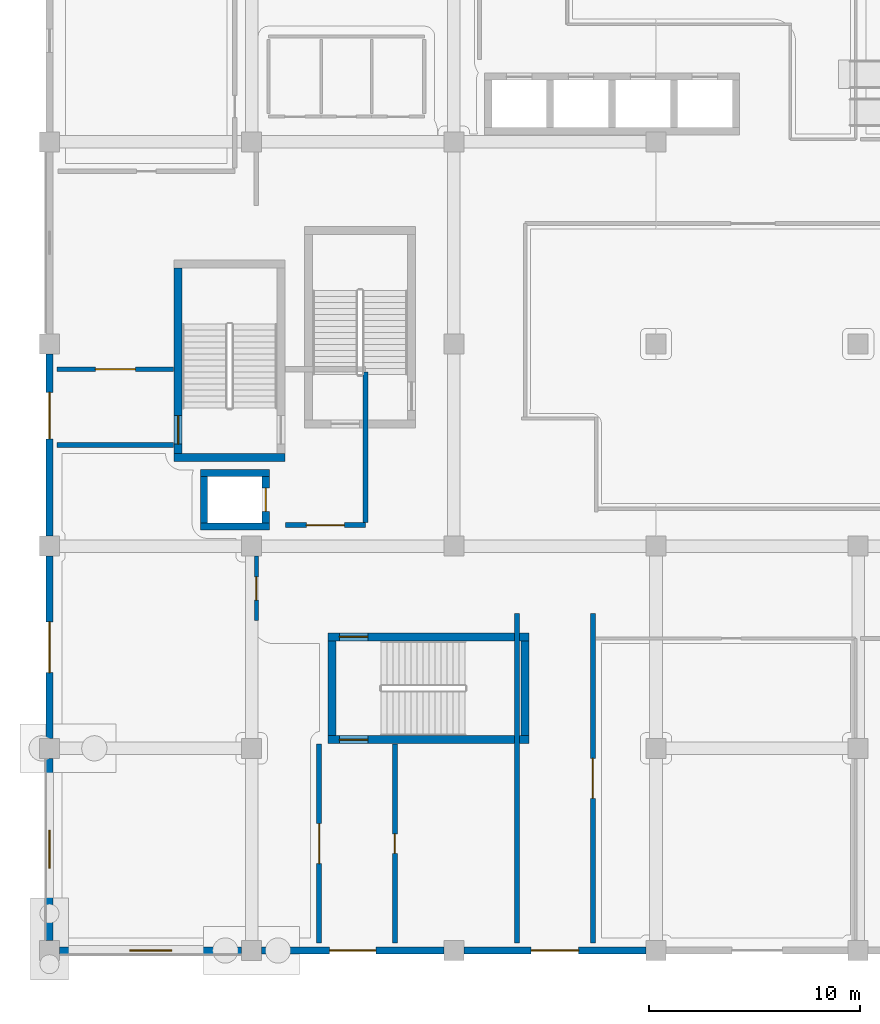
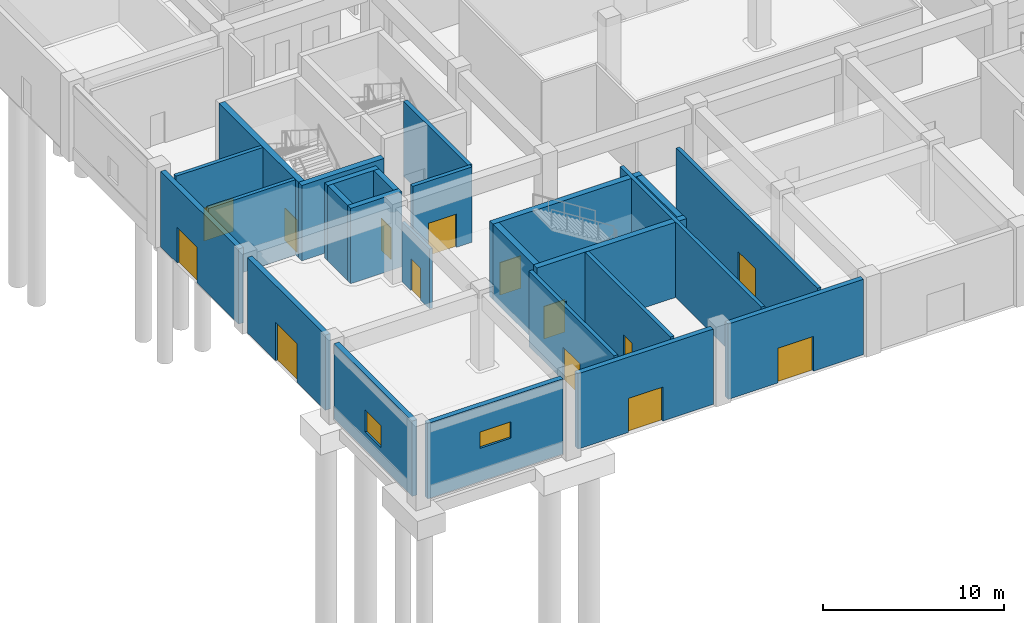
# One storey, part 27 of 74: 25 walls, 14 doors, 2 windows, 16 openings.
"""IFC4 building model written with IfcOpenShell, lengths in metres."""

from ifc_helpers import new_model, si_unit, direction, frame, frame_2d, origin, place, context, subcontext, project, spatial, rectangle, extrude, material, layer, layer_set, type_object, element, fill, save


model = new_model("IFC4")

# Units and contexts
model_context = context("Model", 3, precision=1e-05, world=origin(), true_north=direction((0.0, 1.0)))
body_context = subcontext(model_context, "Body", "Model", "MODEL_VIEW")
ifc_project = project(units=[si_unit("LENGTHUNIT", "METRE"), si_unit("AREAUNIT", "SQUARE_METRE"), si_unit("VOLUMEUNIT", "CUBIC_METRE"), si_unit("PLANEANGLEUNIT", "RADIAN"), si_unit("MASSUNIT", "GRAM", prefix="KILO")], contexts=[model_context])

# Site, building, storey
site_placement = place(None, origin())
site = spatial("IfcSite", under=ifc_project, at=site_placement, CompositionType="ELEMENT")
building_placement = place(site_placement, origin())
building = spatial("IfcBuilding", under=site, at=building_placement, Name="Cendralis Terraced Arcade", CompositionType="ELEMENT")
storey_placement = place(building_placement, origin())
storey = spatial("IfcBuildingStorey", under=building, at=storey_placement, Name="L00", CompositionType="ELEMENT", Elevation=0.0)

# Walls
ifc_material_1 = material(Name="Concrete f'c 42 MPa", Category="concrete")
ifc_layer_1 = layer(ifc_material_1, 0.340087890625, Name="WL-CORE-340")
ifc_layer_set_1 = layer_set([ifc_layer_1], Name="Concrete f'c 42 MPa")
wall_type_1 = type_object("IfcWallType", Name="WL-CORE-340", PredefinedType="SHEAR", material=ifc_layer_set_1)
for number, where, z_axis, x_axis, name in (
    (1, (7.159912109375, 20.1298828125, 0.0), (0.0, 0.0, 1.0), (1.0, 0.0, 0.0), "Lift FFL-01 Reinforced Concrete Shaft Wall (L00)"),
    (2, (7.159912109375, 22.669921875, 0.0), (0.0, 0.0, 1.0), (1.0, 0.0, 0.0), "Lift FFL-01 Reinforced Concrete Shaft Wall (L00)"),
):
    element("IfcWall", number, at=place(storey_placement, frame(where, z_axis=z_axis, x_axis=x_axis)), inside=storey, type_object=wall_type_1, Name=name, PredefinedType="SHEAR", context=body_context, shape_type="SweptSolid", body=[
        extrude(rectangle(XDim=3.280029296875, YDim=0.340087890625, at=frame_2d((1.64013671875, 0.0))), origin(), (0.0, 0.0, 1.0), 5.090087890625),
    ])
wall_1_placement = place(storey_placement, frame((7.330078125, 20.300048828125, 0.0), z_axis=(0.0, 0.0, 1.0), x_axis=(0.0, 1.0, 0.0)))
element("IfcWall", 3, at=wall_1_placement, inside=storey, type_object=wall_type_1, Name="Lift FFL-01 Reinforced Concrete Shaft Wall (L00)", PredefinedType="SHEAR", context=body_context, shape_type="SweptSolid", body=[
    extrude(rectangle(XDim=2.199951171875, YDim=0.340087890625, at=frame_2d((1.10009765625, 0.0))), origin(), (0.0, 0.0, 1.0), 5.090087890625),
])

# Wall, opening, door
wall_2_placement = place(storey_placement, frame((10.27001953125, 20.300048828125, 0.0), z_axis=(0.0, 0.0, 1.0), x_axis=(0.0, 1.0, 0.0)))
wall_2 = element("IfcWall", 4, at=wall_2_placement, inside=storey, type_object=wall_type_1, Name="Lift FFL-01 Reinforced Concrete Shaft Wall (L00)", PredefinedType="SHEAR", context=body_context, shape_type="SweptSolid", body=[
    extrude(rectangle(XDim=2.199951171875, YDim=0.340087890625, at=frame_2d((1.10009765625, 0.0))), origin(), (0.0, 0.0, 1.0), 5.090087890625),
])
opening_1_placement = place(wall_2_placement, frame((0.550048828125, 0.0, 0.0)))
opening_1 = element("IfcOpeningElement", 5, at=opening_1_placement, cuts=wall_2, Name="Opening LD-FFL-01-L00", PredefinedType="OPENING", context=body_context, shape_type="SweptSolid", body=[
    extrude(rectangle(XDim=1.10009765625, YDim=2.14990234375, at=frame_2d((0.550048828125, 1.074951171875))), frame((0.0, 0.18212890625, 0.0), z_axis=(0.0, -1.0, 0.0), x_axis=(1.0, 0.0, 0.0)), (0.0, 0.0, 1.0), 0.364013671875),
])
ifc_material_2 = material(Name="Anodised aluminium sliding door assembly", Category="aluminium")
door_type_1 = type_object("IfcDoorType", Name="ID-LD-FF-1100x2150", OperationType="DOUBLE_DOOR_SLIDING", PredefinedType="DOOR", material=ifc_material_2)
door_1_placement = place(opening_1_placement, origin())
door_1 = element("IfcDoor", 6, at=door_1_placement, inside=storey, type_object=door_type_1, Name="Lift FFL-01 Sliding Landing Door (L00)", OperationType="DOUBLE_DOOR_SLIDING", OverallHeight=2.14990234375, OverallWidth=1.10009765625, PredefinedType="DOOR", context=body_context, shape_type="SweptSolid", body=[
    extrude(rectangle(XDim=1.10009765625, YDim=2.14990234375, at=frame_2d((0.550048828125, 1.074951171875))), frame((0.0, 0.02490234375, 0.0), z_axis=(0.0, -1.0, 0.0), x_axis=(1.0, 0.0, 0.0)), (0.0, 0.0, 1.0), 0.050048828125),
])
fill(opening_1, door_1)

# Wall
ifc_layer_2 = layer(ifc_material_1, 0.3798828125, Name="WL-CORE-380")
ifc_layer_set_2 = layer_set([ifc_layer_2], Name="Concrete f'c 42 MPa")
wall_type_2 = type_object("IfcWallType", Name="WL-CORE-380", PredefinedType="SHEAR", material=ifc_layer_set_2)
wall_3_placement = place(storey_placement, frame((5.919921875, 23.409912109375, 0.0), z_axis=(0.0, 0.0, 1.0), x_axis=(1.0, 0.0, 0.0)))
element("IfcWall", 7, at=wall_3_placement, inside=storey, type_object=wall_type_2, Name="Stair Core Reinforced Concrete Shear Wall SW-ST-01-L00-S", PredefinedType="SHEAR", context=body_context, shape_type="SweptSolid", body=[
    extrude(rectangle(XDim=5.260009765625, YDim=0.3798828125, at=frame_2d((2.6298828125, 0.0))), origin(), (0.0, 0.0, 1.0), 5.090087890625),
])

# Wall, opening, door
wall_4_placement = place(storey_placement, frame((6.110107421875, 23.60009765625, 0.0), z_axis=(0.0, 0.0, 1.0), x_axis=(0.0, 1.0, 0.0)))
wall_4 = element("IfcWall", 8, at=wall_4_placement, inside=storey, type_object=wall_type_2, Name="Stair Core Reinforced Concrete Shear Wall SW-ST-01-L00-W", PredefinedType="SHEAR", context=body_context, shape_type="SweptSolid", body=[
    extrude(rectangle(XDim=8.7998046875, YDim=0.3798828125, at=frame_2d((4.39990234375, 0.0))), origin(), (0.0, 0.0, 1.0), 5.090087890625),
])
opening_2_placement = place(wall_4_placement, frame((0.449951171875, 0.0, 0.0)))
opening_2 = element("IfcOpeningElement", 9, at=opening_2_placement, cuts=wall_4, Name="Opening D-ST-01-EXP", PredefinedType="OPENING", context=body_context, shape_type="SweptSolid", body=[
    extrude(rectangle(XDim=1.35009765625, YDim=2.199951171875, at=frame_2d((0.675048828125, 1.10009765625))), frame((0.0, 0.201904296875, 0.0), z_axis=(0.0, -1.0, 0.0), x_axis=(1.0, 0.0, 0.0)), (0.0, 0.0, 1.0), 0.40380859375),
])
ifc_material_3 = material(Name="Galvanised fire-rated steel door assembly", Category="steel")
door_type_2 = type_object("IfcDoorType", Name="ID-ST-1350x2200", OperationType="NOTDEFINED", PredefinedType="DOOR", material=ifc_material_3)
door_2_placement = place(opening_2_placement, frame((1.35009765625, 0.0, 0.0), z_axis=(0.0, 0.0, 1.0), x_axis=(-1.0, 0.0, 0.0)))
door_2 = element("IfcDoor", 10, at=door_2_placement, inside=storey, type_object=door_type_2, Name="Stair ST-01 Exit Passage Discharge Door", OperationType="SINGLE_SWING_RIGHT", OverallHeight=2.199951171875, OverallWidth=1.35009765625, PredefinedType="DOOR", context=body_context, shape_type="SweptSolid", body=[
    extrude(rectangle(XDim=1.35009765625, YDim=2.199951171875, at=frame_2d((0.675048828125, 1.10009765625))), frame((0.0, 0.02490234375, 0.0), z_axis=(0.0, -1.0, 0.0), x_axis=(1.0, 0.0, 0.0)), (0.0, 0.0, 1.0), 0.050048828125),
])
fill(opening_2, door_2)

wall_5_placement = place(storey_placement, frame((13.219970703125, 10.010009765625, 0.0), z_axis=(0.0, 0.0, 1.0), x_axis=(1.0, 0.0, 0.0)))
wall_5 = element("IfcWall", 11, at=wall_5_placement, inside=storey, type_object=wall_type_2, Name="Stair Core Reinforced Concrete Shear Wall SW-ST-02-L00-S", PredefinedType="SHEAR", context=body_context, shape_type="SweptSolid", body=[
    extrude(rectangle(XDim=9.56005859375, YDim=0.3798828125, at=frame_2d((4.780029296875, 0.0))), origin(), (0.0, 0.0, 1.0), 5.090087890625),
])
opening_3_placement = place(wall_5_placement, frame((0.550048828125, 0.0, 0.0)))
opening_3 = element("IfcOpeningElement", 12, at=opening_3_placement, cuts=wall_5, Name="Opening D-ST-02-EXP", PredefinedType="OPENING", context=body_context, shape_type="SweptSolid", body=[
    extrude(rectangle(XDim=1.35009765625, YDim=2.199951171875, at=frame_2d((0.675048828125, 1.10009765625))), frame((0.0, 0.201904296875, 0.0), z_axis=(0.0, -1.0, 0.0), x_axis=(1.0, 0.0, 0.0)), (0.0, 0.0, 1.0), 0.40380859375),
])
door_3_placement = place(opening_3_placement, frame((1.35009765625, 0.0, 0.0), z_axis=(0.0, 0.0, 1.0), x_axis=(-1.0, 0.0, 0.0)))
door_3 = element("IfcDoor", 13, at=door_3_placement, inside=storey, type_object=door_type_2, Name="Stair ST-02 Exit Passage Discharge Door", OperationType="SINGLE_SWING_LEFT", OverallHeight=2.199951171875, OverallWidth=1.35009765625, PredefinedType="DOOR", context=body_context, shape_type="SweptSolid", body=[
    extrude(rectangle(XDim=1.35009765625, YDim=2.199951171875, at=frame_2d((0.675048828125, 1.10009765625))), frame((0.0, 0.02490234375, 0.0), z_axis=(0.0, -1.0, 0.0), x_axis=(1.0, 0.0, 0.0)), (0.0, 0.0, 1.0), 0.050048828125),
])
fill(opening_3, door_3)

wall_6_placement = place(storey_placement, frame((13.219970703125, 14.889892578125, 0.0), z_axis=(0.0, 0.0, 1.0), x_axis=(1.0, 0.0, 0.0)))
wall_6 = element("IfcWall", 14, at=wall_6_placement, inside=storey, type_object=wall_type_2, Name="Stair Core Reinforced Concrete Shear Wall SW-ST-02-L00-N", PredefinedType="SHEAR", context=body_context, shape_type="SweptSolid", body=[
    extrude(rectangle(XDim=9.56005859375, YDim=0.3798828125, at=frame_2d((4.780029296875, 0.0))), origin(), (0.0, 0.0, 1.0), 5.090087890625),
])
opening_4_placement = place(wall_6_placement, frame((0.550048828125, 0.0, 0.0)))
opening_4 = element("IfcOpeningElement", 15, at=opening_4_placement, cuts=wall_6, Name="Opening D-ST-02-L00", PredefinedType="OPENING", context=body_context, shape_type="SweptSolid", body=[
    extrude(rectangle(XDim=1.35009765625, YDim=2.199951171875, at=frame_2d((0.675048828125, 1.10009765625))), frame((0.0, 0.201904296875, 0.0), z_axis=(0.0, -1.0, 0.0), x_axis=(1.0, 0.0, 0.0)), (0.0, 0.0, 1.0), 0.40380859375),
])
door_4_placement = place(opening_4_placement, frame((1.35009765625, 0.0, 0.0), z_axis=(0.0, 0.0, 1.0), x_axis=(-1.0, 0.0, 0.0)))
door_4 = element("IfcDoor", 16, at=door_4_placement, inside=storey, type_object=door_type_2, Name="Protected Stair ST-02 Fire Door (L00)", OperationType="SINGLE_SWING_RIGHT", OverallHeight=2.199951171875, OverallWidth=1.35009765625, PredefinedType="DOOR", context=body_context, shape_type="SweptSolid", body=[
    extrude(rectangle(XDim=1.35009765625, YDim=2.199951171875, at=frame_2d((0.675048828125, 1.10009765625))), frame((0.0, 0.02490234375, 0.0), z_axis=(0.0, -1.0, 0.0), x_axis=(1.0, 0.0, 0.0)), (0.0, 0.0, 1.0), 0.050048828125),
])
fill(opening_4, door_4)

# Walls
for number, where, z_axis, x_axis, name in (
    (17, (22.590087890625, 10.199951171875, 0.0), (0.0, 0.0, 1.0), (0.0, 1.0, 0.0), "Stair Core Reinforced Concrete Shear Wall SW-ST-02-L00-E"),
    (18, (13.409912109375, 10.199951171875, 0.0), (0.0, 0.0, 1.0), (0.0, 1.0, 0.0), "Stair Core Reinforced Concrete Shear Wall SW-ST-02-L00-W"),
):
    element("IfcWall", number, at=place(storey_placement, frame(where, z_axis=z_axis, x_axis=x_axis)), inside=storey, type_object=wall_type_2, Name=name, PredefinedType="SHEAR", context=body_context, shape_type="SweptSolid", body=[
        extrude(rectangle(XDim=4.5, YDim=0.3798828125, at=frame_2d((2.25, 0.0))), origin(), (0.0, 0.0, 1.0), 5.090087890625),
    ])

# Wall, opening, door
ifc_material_4 = material(Name="Precast concrete f'c 40 MPa", Category="concrete")
ifc_layer_3 = layer(ifc_material_4, 0.320068359375, Name="WL-EXT-GRC-320")
ifc_layer_set_3 = layer_set([ifc_layer_3], Name="Precast concrete f'c 40 MPa")
wall_type_3 = type_object("IfcWallType", Name="WL-EXT-GRC-320", PredefinedType="SOLIDWALL", material=ifc_layer_set_3)
wall_7_placement = place(storey_placement, frame((28.324951171875, 0.0, 0.0), z_axis=(0.0, 0.0, 1.0), x_axis=(-1.0, 0.0, 0.0)))
wall_7 = element("IfcWall", 19, at=wall_7_placement, inside=storey, type_object=wall_type_3, Name="Exterior Architectural Wall EW-L00-0012", PredefinedType="SOLIDWALL", context=body_context, shape_type="SweptSolid", body=[
    extrude(rectangle(XDim=8.64990234375, YDim=0.320068359375, at=frame_2d((4.324951171875, 0.0))), origin(), (0.0, 0.0, 1.0), 5.090087890625),
])
opening_5_placement = place(wall_7_placement, frame((3.199951171875, 0.0, 0.0)))
opening_5 = element("IfcOpeningElement", 20, at=opening_5_placement, cuts=wall_7, Name="Opening EX-05", PredefinedType="OPENING", context=body_context, shape_type="SweptSolid", body=[
    extrude(rectangle(XDim=2.25, YDim=2.35009765625, at=frame_2d((1.125, 1.175048828125))), frame((0.0, 0.171875, 0.0), z_axis=(0.0, -1.0, 0.0), x_axis=(1.0, 0.0, 0.0)), (0.0, 0.0, 1.0), 0.343994140625),
])
ifc_material_5 = material(Name="Powder-coated thermally broken aluminium and glass", Category="aluminium")
door_type_3 = type_object("IfcDoorType", Name="ED-PASS-2250x2350", OperationType="DOUBLE_DOOR_SINGLE_SWING", PredefinedType="DOOR", material=ifc_material_5)
door_5_placement = place(opening_5_placement, origin())
door_5 = element("IfcDoor", 21, at=door_5_placement, inside=storey, type_object=door_type_3, Name="Exit Passage ST-05 Final Exit Door EX-05", OperationType="DOUBLE_DOOR_SINGLE_SWING", OverallHeight=2.35009765625, OverallWidth=2.25, PredefinedType="DOOR", context=body_context, shape_type="SweptSolid", body=[
    extrude(rectangle(XDim=2.25, YDim=2.35009765625, at=frame_2d((1.125, 1.175048828125))), frame((0.0, 0.02490234375, 0.0), z_axis=(0.0, -1.0, 0.0), x_axis=(1.0, 0.0, 0.0)), (0.0, 0.0, 1.0), 0.050048828125),
])
fill(opening_5, door_5)

wall_8_placement = place(storey_placement, frame((18.72509765625, 0.0, 0.0), z_axis=(0.0, 0.0, 1.0), x_axis=(-1.0, 0.0, 0.0)))
wall_8 = element("IfcWall", 22, at=wall_8_placement, inside=storey, type_object=wall_type_3, Name="Exterior Architectural Wall EW-L00-0013", PredefinedType="SOLIDWALL", context=body_context, shape_type="SweptSolid", body=[
    extrude(rectangle(XDim=8.650146484375, YDim=0.320068359375, at=frame_2d((4.3251953125, 0.0))), origin(), (0.0, 0.0, 1.0), 5.090087890625),
])
opening_6_placement = place(wall_8_placement, frame((3.22509765625, 0.0, 0.0)))
opening_6 = element("IfcOpeningElement", 23, at=opening_6_placement, cuts=wall_8, Name="Opening EX-02", PredefinedType="OPENING", context=body_context, shape_type="SweptSolid", body=[
    extrude(rectangle(XDim=2.199951171875, YDim=2.300048828125, at=frame_2d((1.10009765625, 1.14990234375))), frame((0.0, 0.171875, 0.0), z_axis=(0.0, -1.0, 0.0), x_axis=(1.0, 0.0, 0.0)), (0.0, 0.0, 1.0), 0.343994140625),
])
door_type_4 = type_object("IfcDoorType", Name="ED-PASS-2200x2300", OperationType="DOUBLE_DOOR_SINGLE_SWING", PredefinedType="DOOR", material=ifc_material_5)
door_6_placement = place(opening_6_placement, origin())
door_6 = element("IfcDoor", 24, at=door_6_placement, inside=storey, type_object=door_type_4, Name="Exit Passage ST-02 Final Exit Door EX-02", OperationType="DOUBLE_DOOR_SINGLE_SWING", OverallHeight=2.300048828125, OverallWidth=2.199951171875, PredefinedType="DOOR", context=body_context, shape_type="SweptSolid", body=[
    extrude(rectangle(XDim=2.199951171875, YDim=2.300048828125, at=frame_2d((1.10009765625, 1.14990234375))), frame((0.0, 0.02490234375, 0.0), z_axis=(0.0, -1.0, 0.0), x_axis=(1.0, 0.0, 0.0)), (0.0, 0.0, 1.0), 0.050048828125),
])
fill(opening_6, door_6)

# Wall, opening, window
wall_9_placement = place(storey_placement, frame((9.126953125, 0.0, 0.0), z_axis=(0.0, 0.0, 1.0), x_axis=(-1.0, 0.0, 0.0)))
wall_9 = element("IfcWall", 25, at=wall_9_placement, inside=storey, type_object=wall_type_3, Name="Exterior Architectural Wall EW-L00-0014", PredefinedType="SOLIDWALL", context=body_context, shape_type="SweptSolid", body=[
    extrude(rectangle(XDim=8.654052734375, YDim=0.320068359375, at=frame_2d((4.3271484375, 0.0))), origin(), (0.0, 0.0, 1.0), 5.090087890625),
])
opening_7_placement = place(wall_9_placement, frame((3.326904296875, 0.0, 2.25)))
opening_7 = element("IfcOpeningElement", 26, at=opening_7_placement, cuts=wall_9, Name="Opening W-18", PredefinedType="OPENING", context=body_context, shape_type="SweptSolid", body=[
    extrude(rectangle(XDim=2.0, YDim=1.10009765625, at=frame_2d((1.0, 0.550048828125))), frame((0.0, 0.171875, 0.0), z_axis=(0.0, -1.0, 0.0), x_axis=(1.0, 0.0, 0.0)), (0.0, 0.0, 1.0), 0.343994140625),
])
ifc_material_6 = material(Name="Tempered solar control laminated glass", Category="glass")
window_type_1 = type_object("IfcWindowType", Name="WN-CL-2000x1100", PartitioningType="SINGLE_PANEL", PredefinedType="WINDOW", material=ifc_material_6)
window_1_placement = place(opening_7_placement, origin())
window_1 = element("IfcWindow", 27, at=window_1_placement, inside=storey, type_object=window_type_1, Name="Exterior Solar-Control Window WN-L00-0006", OverallHeight=1.10009765625, OverallWidth=2.0, PartitioningType="SINGLE_PANEL", PredefinedType="WINDOW", context=body_context, shape_type="SweptSolid", body=[
    extrude(rectangle(XDim=2.0, YDim=1.10009765625, at=frame_2d((1.0, 0.550048828125))), frame((0.0, 0.030029296875, 0.0), z_axis=(0.0, -1.0, 0.0), x_axis=(1.0, 0.0, 0.0)), (0.0, 0.0, 1.0), 0.06005859375),
])
fill(opening_7, window_1)

wall_10_placement = place(storey_placement, frame((0.0, 0.472900390625, 0.0), z_axis=(0.0, 0.0, 1.0), x_axis=(0.0, 1.0, 0.0)))
wall_10 = element("IfcWall", 28, at=wall_10_placement, inside=storey, type_object=wall_type_3, Name="Exterior Architectural Wall EW-L00-0015", PredefinedType="SOLIDWALL", context=body_context, shape_type="SweptSolid", body=[
    extrude(rectangle(XDim=8.654052734375, YDim=0.320068359375, at=frame_2d((4.3271484375, 0.0))), origin(), (0.0, 0.0, 1.0), 5.090087890625),
])
opening_8_placement = place(wall_10_placement, frame((3.427001953125, 0.0, 1.199951171875)))
opening_8 = element("IfcOpeningElement", 29, at=opening_8_placement, cuts=wall_10, Name="Opening W-19", PredefinedType="OPENING", context=body_context, shape_type="SweptSolid", body=[
    extrude(rectangle(XDim=1.800048828125, YDim=1.5, at=frame_2d((0.89990234375, 0.75))), frame((0.0, 0.171875, 0.0), z_axis=(0.0, -1.0, 0.0), x_axis=(1.0, 0.0, 0.0)), (0.0, 0.0, 1.0), 0.343994140625),
])
window_type_2 = type_object("IfcWindowType", Name="WN-BOH-1800x1500", PartitioningType="SINGLE_PANEL", PredefinedType="WINDOW", material=ifc_material_6)
window_2_placement = place(opening_8_placement, origin())
window_2 = element("IfcWindow", 30, at=window_2_placement, inside=storey, type_object=window_type_2, Name="Exterior Solar-Control Window WN-L00-0007", OverallHeight=1.5, OverallWidth=1.800048828125, PartitioningType="SINGLE_PANEL", PredefinedType="WINDOW", context=body_context, shape_type="SweptSolid", body=[
    extrude(rectangle(XDim=1.800048828125, YDim=1.5, at=frame_2d((0.89990234375, 0.75))), frame((0.0, 0.030029296875, 0.0), z_axis=(0.0, -1.0, 0.0), x_axis=(1.0, 0.0, 0.0)), (0.0, 0.0, 1.0), 0.06005859375),
])
fill(opening_8, window_2)

# Wall, opening, door
wall_11_placement = place(storey_placement, frame((0.0, 10.074951171875, 0.0), z_axis=(0.0, 0.0, 1.0), x_axis=(0.0, 1.0, 0.0)))
wall_11 = element("IfcWall", 31, at=wall_11_placement, inside=storey, type_object=wall_type_3, Name="Exterior Architectural Wall EW-L00-0016", PredefinedType="SOLIDWALL", context=body_context, shape_type="SweptSolid", body=[
    extrude(rectangle(XDim=8.650146484375, YDim=0.320068359375, at=frame_2d((4.3251953125, 0.0))), origin(), (0.0, 0.0, 1.0), 5.090087890625),
])
opening_9_placement = place(wall_11_placement, frame((3.125, 0.0, 0.0)))
opening_9 = element("IfcOpeningElement", 32, at=opening_9_placement, cuts=wall_11, Name="Opening EX-10", PredefinedType="OPENING", context=body_context, shape_type="SweptSolid", body=[
    extrude(rectangle(XDim=2.39990234375, YDim=2.60009765625, at=frame_2d((1.199951171875, 1.300048828125))), frame((0.0, 0.171875, 0.0), z_axis=(0.0, -1.0, 0.0), x_axis=(1.0, 0.0, 0.0)), (0.0, 0.0, 1.0), 0.343994140625),
])
door_type_5 = type_object("IfcDoorType", Name="ED-MAIN-2200x2600", OperationType="DOUBLE_DOOR_SINGLE_SWING", PredefinedType="DOOR", material=ifc_material_5)
door_7_placement = place(opening_9_placement, origin())
door_7 = element("IfcDoor", 33, at=door_7_placement, inside=storey, type_object=door_type_5, Name="West Street Flagship Entrance EX-10", OperationType="DOUBLE_DOOR_SINGLE_SWING", OverallHeight=2.60009765625, OverallWidth=2.39990234375, PredefinedType="DOOR", context=body_context, shape_type="SweptSolid", body=[
    extrude(rectangle(XDim=2.39990234375, YDim=2.60009765625, at=frame_2d((1.199951171875, 1.300048828125))), frame((0.0, 0.02490234375, 0.0), z_axis=(0.0, -1.0, 0.0), x_axis=(1.0, 0.0, 0.0)), (0.0, 0.0, 1.0), 0.050048828125),
])
fill(opening_9, door_7)

wall_12_placement = place(storey_placement, frame((0.0, 19.675048828125, 0.0), z_axis=(0.0, 0.0, 1.0), x_axis=(0.0, 1.0, 0.0)))
wall_12 = element("IfcWall", 34, at=wall_12_placement, inside=storey, type_object=wall_type_3, Name="Exterior Architectural Wall EW-L00-0017", PredefinedType="SOLIDWALL", context=body_context, shape_type="SweptSolid", body=[
    extrude(rectangle(XDim=8.64990234375, YDim=0.320068359375, at=frame_2d((4.324951171875, 0.0))), origin(), (0.0, 0.0, 1.0), 5.090087890625),
])
opening_10_placement = place(wall_12_placement, frame((4.625, 0.0, 0.0)))
opening_10 = element("IfcOpeningElement", 35, at=opening_10_placement, cuts=wall_12, Name="Opening EX-01", PredefinedType="OPENING", context=body_context, shape_type="SweptSolid", body=[
    extrude(rectangle(XDim=2.199951171875, YDim=2.39990234375, at=frame_2d((1.10009765625, 1.199951171875))), frame((0.0, 0.171875, 0.0), z_axis=(0.0, -1.0, 0.0), x_axis=(1.0, 0.0, 0.0)), (0.0, 0.0, 1.0), 0.343994140625),
])
door_type_6 = type_object("IfcDoorType", Name="ED-STAIR-2200x2400", OperationType="DOUBLE_DOOR_SINGLE_SWING", PredefinedType="DOOR", material=ifc_material_5)
door_8_placement = place(opening_10_placement, origin())
door_8 = element("IfcDoor", 36, at=door_8_placement, inside=storey, type_object=door_type_6, Name="Stair ST-01 Final Exit Door EX-01", OperationType="DOUBLE_DOOR_SINGLE_SWING", OverallHeight=2.39990234375, OverallWidth=2.199951171875, PredefinedType="DOOR", context=body_context, shape_type="SweptSolid", body=[
    extrude(rectangle(XDim=2.199951171875, YDim=2.39990234375, at=frame_2d((1.10009765625, 1.199951171875))), frame((0.0, 0.02490234375, 0.0), z_axis=(0.0, -1.0, 0.0), x_axis=(1.0, 0.0, 0.0)), (0.0, 0.0, 1.0), 0.050048828125),
])
fill(opening_10, door_8)

ifc_material_7 = material(Name="Autoclaved aerated concrete blockwork", Category="masonry")
ifc_layer_4 = layer(ifc_material_7, 0.25, Name="WL-FFL-250")
ifc_layer_set_4 = layer_set([ifc_layer_4], Name="Autoclaved aerated concrete blockwork")
wall_type_4 = type_object("IfcWallType", Name="WL-FFL-250", PredefinedType="PARTITIONING", material=ifc_layer_set_4)
wall_13_placement = place(storey_placement, frame((11.199951171875, 20.199951171875, 0.0), z_axis=(0.0, 0.0, 1.0), x_axis=(1.0, 0.0, 0.0)))
wall_13 = element("IfcWall", 37, at=wall_13_placement, inside=storey, type_object=wall_type_4, Name="Firefighting Lift Lobby FFL-01 Rated Wall S (L00)", PredefinedType="PARTITIONING", context=body_context, shape_type="SweptSolid", body=[
    extrude(rectangle(XDim=3.800048828125, YDim=0.25, at=frame_2d((1.89990234375, 0.0))), origin(), (0.0, 0.0, 1.0), 5.090087890625),
])
opening_11_placement = place(wall_13_placement, frame((1.0, 0.0, 0.0)))
opening_11 = element("IfcOpeningElement", 38, at=opening_11_placement, cuts=wall_13, Name="Opening D-FFL-01-L00-S", PredefinedType="OPENING", context=body_context, shape_type="SweptSolid", body=[
    extrude(rectangle(XDim=1.800048828125, YDim=2.25, at=frame_2d((0.89990234375, 1.125))), frame((0.0, 0.136962890625, 0.0), z_axis=(0.0, -1.0, 0.0), x_axis=(1.0, 0.0, 0.0)), (0.0, 0.0, 1.0), 0.27392578125),
])
door_type_7 = type_object("IfcDoorType", Name="ID-FFL-1800x2250", OperationType="DOUBLE_DOOR_SINGLE_SWING", PredefinedType="DOOR", material=ifc_material_3)
door_9_placement = place(opening_11_placement, origin())
door_9 = element("IfcDoor", 39, at=door_9_placement, inside=storey, type_object=door_type_7, Name="Firefighting Lift Lobby FFL-01 Rated Double Door (L00)", OperationType="DOUBLE_DOOR_SINGLE_SWING", OverallHeight=2.25, OverallWidth=1.800048828125, PredefinedType="DOOR", context=body_context, shape_type="SweptSolid", body=[
    extrude(rectangle(XDim=1.800048828125, YDim=2.25, at=frame_2d((0.89990234375, 1.125))), frame((0.0, 0.02490234375, 0.0), z_axis=(0.0, -1.0, 0.0), x_axis=(1.0, 0.0, 0.0)), (0.0, 0.0, 1.0), 0.050048828125),
])
fill(opening_11, door_9)

# Walls
wall_14_placement = place(storey_placement, frame((15.0, 20.330078125, 0.0), z_axis=(0.0, 0.0, 1.0), x_axis=(0.0, 1.0, 0.0)))
element("IfcWall", 40, at=wall_14_placement, inside=storey, type_object=wall_type_4, Name="Firefighting Lift Lobby FFL-01 Rated Wall E (L00)", PredefinedType="PARTITIONING", context=body_context, shape_type="SweptSolid", body=[
    extrude(rectangle(XDim=7.139892578125, YDim=0.25, at=frame_2d((3.56982421875, 0.0))), origin(), (0.0, 0.0, 1.0), 5.090087890625),
])
ifc_layer_5 = layer(ifc_material_7, 0.235107421875, Name="WL-FIRE-235")
ifc_layer_set_5 = layer_set([ifc_layer_5], Name="Autoclaved aerated concrete blockwork")
wall_type_5 = type_object("IfcWallType", Name="WL-FIRE-235", PredefinedType="PARTITIONING", material=ifc_layer_set_5)
wall_15_placement = place(storey_placement, frame((0.35009765625, 24.0, 0.0), z_axis=(0.0, 0.0, 1.0), x_axis=(1.0, 0.0, 0.0)))
element("IfcWall", 41, at=wall_15_placement, inside=storey, type_object=wall_type_5, Name="Protected Exit Passage 2-Hour Wall EP-ST01-S", PredefinedType="PARTITIONING", context=body_context, shape_type="SweptSolid", body=[
    extrude(rectangle(XDim=5.5498046875, YDim=0.235107421875, at=frame_2d((2.77490234375, 0.0))), origin(), (0.0, 0.0, 1.0), 5.090087890625),
])

# Wall, opening, door
wall_16_placement = place(storey_placement, frame((0.35009765625, 27.60009765625, 0.0), z_axis=(0.0, 0.0, 1.0), x_axis=(1.0, 0.0, 0.0)))
wall_16 = element("IfcWall", 42, at=wall_16_placement, inside=storey, type_object=wall_type_5, Name="Protected Exit Passage 2-Hour Wall EP-ST01-N", PredefinedType="PARTITIONING", context=body_context, shape_type="SweptSolid", body=[
    extrude(rectangle(XDim=5.5498046875, YDim=0.235107421875, at=frame_2d((2.77490234375, 0.0))), origin(), (0.0, 0.0, 1.0), 5.090087890625),
])
opening_12_placement = place(wall_16_placement, frame((1.824951171875, 0.0, 0.0)))
opening_12 = element("IfcOpeningElement", 43, at=opening_12_placement, cuts=wall_16, Name="Opening D-EP-ST01-N", PredefinedType="OPENING", context=body_context, shape_type="SweptSolid", body=[
    extrude(rectangle(XDim=1.89990234375, YDim=2.25, at=frame_2d((0.949951171875, 1.125))), frame((0.0, 0.12939453125, 0.0), z_axis=(0.0, -1.0, 0.0), x_axis=(1.0, 0.0, 0.0)), (0.0, 0.0, 1.0), 0.259033203125),
])
door_type_8 = type_object("IfcDoorType", Name="ID-EXP-1900x2250", OperationType="DOUBLE_DOOR_SINGLE_SWING", PredefinedType="DOOR", material=ifc_material_3)
door_10_placement = place(opening_12_placement, origin())
door_10 = element("IfcDoor", 44, at=door_10_placement, inside=storey, type_object=door_type_8, Name="Protected Exit Passage Fire Door EP-ST01-N", OperationType="DOUBLE_DOOR_SINGLE_SWING", OverallHeight=2.25, OverallWidth=1.89990234375, PredefinedType="DOOR", context=body_context, shape_type="SweptSolid", body=[
    extrude(rectangle(XDim=1.89990234375, YDim=2.25, at=frame_2d((0.949951171875, 1.125))), frame((0.0, 0.02490234375, 0.0), z_axis=(0.0, -1.0, 0.0), x_axis=(1.0, 0.0, 0.0)), (0.0, 0.0, 1.0), 0.050048828125),
])
fill(opening_12, door_10)

wall_17_placement = place(storey_placement, frame((12.800048828125, 0.35009765625, 0.0), z_axis=(0.0, 0.0, 1.0), x_axis=(0.0, 1.0, 0.0)))
wall_17 = element("IfcWall", 45, at=wall_17_placement, inside=storey, type_object=wall_type_5, Name="Protected Exit Passage 2-Hour Wall EP-ST02-W", PredefinedType="PARTITIONING", context=body_context, shape_type="SweptSolid", body=[
    extrude(rectangle(XDim=9.449951171875, YDim=0.235107421875, at=frame_2d((4.72509765625, 0.0))), origin(), (0.0, 0.0, 1.0), 5.090087890625),
])
opening_13_placement = place(wall_17_placement, frame((3.77490234375, 0.0, 0.0)))
opening_13 = element("IfcOpeningElement", 46, at=opening_13_placement, cuts=wall_17, Name="Opening D-EP-ST02-W", PredefinedType="OPENING", context=body_context, shape_type="SweptSolid", body=[
    extrude(rectangle(XDim=1.89990234375, YDim=2.25, at=frame_2d((0.949951171875, 1.125))), frame((0.0, 0.12939453125, 0.0), z_axis=(0.0, -1.0, 0.0), x_axis=(1.0, 0.0, 0.0)), (0.0, 0.0, 1.0), 0.259033203125),
])
door_11_placement = place(opening_13_placement, origin())
door_11 = element("IfcDoor", 47, at=door_11_placement, inside=storey, type_object=door_type_8, Name="Protected Exit Passage Fire Door EP-ST02-W", OperationType="DOUBLE_DOOR_SINGLE_SWING", OverallHeight=2.25, OverallWidth=1.89990234375, PredefinedType="DOOR", context=body_context, shape_type="SweptSolid", body=[
    extrude(rectangle(XDim=1.89990234375, YDim=2.25, at=frame_2d((0.949951171875, 1.125))), frame((0.0, 0.02490234375, 0.0), z_axis=(0.0, -1.0, 0.0), x_axis=(1.0, 0.0, 0.0)), (0.0, 0.0, 1.0), 0.050048828125),
])
fill(opening_13, door_11)

wall_18_placement = place(storey_placement, frame((16.39990234375, 0.35009765625, 0.0), z_axis=(0.0, 0.0, 1.0), x_axis=(0.0, 1.0, 0.0)))
wall_18 = element("IfcWall", 48, at=wall_18_placement, inside=storey, type_object=wall_type_5, Name="Protected Exit Passage 2-Hour Wall EP-ST02-E", PredefinedType="PARTITIONING", context=body_context, shape_type="SweptSolid", body=[
    extrude(rectangle(XDim=9.449951171875, YDim=0.235107421875, at=frame_2d((4.72509765625, 0.0))), origin(), (0.0, 0.0, 1.0), 5.090087890625),
])
opening_14_placement = place(wall_18_placement, frame((4.264892578125, 0.0, 0.0)))
opening_14 = element("IfcOpeningElement", 49, at=opening_14_placement, cuts=wall_18, Name="Opening D-L00-062", PredefinedType="OPENING", context=body_context, shape_type="SweptSolid", body=[
    extrude(rectangle(XDim=0.919921875, YDim=2.10009765625, at=frame_2d((0.4599609375, 1.050048828125))), frame((0.0, 0.12939453125, 0.0), z_axis=(0.0, -1.0, 0.0), x_axis=(1.0, 0.0, 0.0)), (0.0, 0.0, 1.0), 0.259033203125),
])
ifc_material_8 = material(Name="Solid core Andean oak veneer door leaf", Category="aluminium")
door_type_9 = type_object("IfcDoorType", Name="ID-RM-0920x2100", OperationType="NOTDEFINED", PredefinedType="DOOR", material=ifc_material_8)
door_12_placement = place(opening_14_placement, origin())
door_12 = element("IfcDoor", 50, at=door_12_placement, inside=storey, type_object=door_type_9, Name="Cosmetics and Perfumery Sales Floor Door D-L00-062", OperationType="SINGLE_SWING_LEFT", OverallHeight=2.10009765625, OverallWidth=0.919921875, PredefinedType="DOOR", context=body_context, shape_type="SweptSolid", body=[
    extrude(rectangle(XDim=0.919921875, YDim=2.10009765625, at=frame_2d((0.4599609375, 1.050048828125))), frame((0.0, 0.02490234375, 0.0), z_axis=(0.0, -1.0, 0.0), x_axis=(1.0, 0.0, 0.0)), (0.0, 0.0, 1.0), 0.050048828125),
])
fill(opening_14, door_12)

# Wall
wall_19_placement = place(storey_placement, frame((22.199951171875, 0.35009765625, 0.0), z_axis=(0.0, 0.0, 1.0), x_axis=(0.0, 1.0, 0.0)))
element("IfcWall", 51, at=wall_19_placement, inside=storey, type_object=wall_type_5, Name="Protected Exit Passage 2-Hour Wall EP-ST05-W", PredefinedType="PARTITIONING", context=body_context, shape_type="SweptSolid", body=[
    extrude(rectangle(XDim=15.64990234375, YDim=0.235107421875, at=frame_2d((7.824951171875, 0.0))), origin(), (0.0, 0.0, 1.0), 5.090087890625),
])

# Wall, opening, door
wall_20_placement = place(storey_placement, frame((25.800048828125, 0.35009765625, 0.0), z_axis=(0.0, 0.0, 1.0), x_axis=(0.0, 1.0, 0.0)))
wall_20 = element("IfcWall", 52, at=wall_20_placement, inside=storey, type_object=wall_type_5, Name="Protected Exit Passage 2-Hour Wall EP-ST05-E", PredefinedType="PARTITIONING", context=body_context, shape_type="SweptSolid", body=[
    extrude(rectangle(XDim=15.64990234375, YDim=0.235107421875, at=frame_2d((7.824951171875, 0.0))), origin(), (0.0, 0.0, 1.0), 5.090087890625),
])
opening_15_placement = place(wall_20_placement, frame((6.875, 0.0, 0.0)))
opening_15 = element("IfcOpeningElement", 53, at=opening_15_placement, cuts=wall_20, Name="Opening D-EP-ST05-E", PredefinedType="OPENING", context=body_context, shape_type="SweptSolid", body=[
    extrude(rectangle(XDim=1.89990234375, YDim=2.25, at=frame_2d((0.949951171875, 1.125))), frame((0.0, 0.12939453125, 0.0), z_axis=(0.0, -1.0, 0.0), x_axis=(1.0, 0.0, 0.0)), (0.0, 0.0, 1.0), 0.259033203125),
])
door_13_placement = place(opening_15_placement, origin())
door_13 = element("IfcDoor", 54, at=door_13_placement, inside=storey, type_object=door_type_8, Name="Protected Exit Passage Fire Door EP-ST05-E", OperationType="DOUBLE_DOOR_SINGLE_SWING", OverallHeight=2.25, OverallWidth=1.89990234375, PredefinedType="DOOR", context=body_context, shape_type="SweptSolid", body=[
    extrude(rectangle(XDim=1.89990234375, YDim=2.25, at=frame_2d((0.949951171875, 1.125))), frame((0.0, 0.02490234375, 0.0), z_axis=(0.0, -1.0, 0.0), x_axis=(1.0, 0.0, 0.0)), (0.0, 0.0, 1.0), 0.050048828125),
])
fill(opening_15, door_13)

ifc_material_9 = material(Name="Gypsum plasterboard acoustic partition", Category="concrete")
ifc_layer_6 = layer(ifc_material_9, 0.18994140625, Name="WL-PART-190")
ifc_layer_set_6 = layer_set([ifc_layer_6], Name="Gypsum plasterboard acoustic partition")
wall_type_6 = type_object("IfcWallType", Name="WL-PART-190", PredefinedType="PARTITIONING", material=ifc_layer_set_6)
wall_21_placement = place(storey_placement, frame((9.820068359375, 18.72509765625, 0.0), z_axis=(0.0, 0.0, 1.0), x_axis=(0.0, -1.0, 0.0)))
wall_21 = element("IfcWall", 55, at=wall_21_placement, inside=storey, type_object=wall_type_6, Name="Interior Partition Wall IW-L00-0209", PredefinedType="PARTITIONING", context=body_context, shape_type="SweptSolid", body=[
    extrude(rectangle(XDim=3.045166015625, YDim=0.18994140625, at=frame_2d((1.5224609375, 0.0))), origin(), (0.0, 0.0, 1.0), 4.030029296875),
])
opening_16_placement = place(wall_21_placement, frame((0.982421875, 0.0, 0.0)))
opening_16 = element("IfcOpeningElement", 56, at=opening_16_placement, cuts=wall_21, Name="Opening D-L00-064", PredefinedType="OPENING", context=body_context, shape_type="SweptSolid", body=[
    extrude(rectangle(XDim=1.10009765625, YDim=2.14990234375, at=frame_2d((0.550048828125, 1.074951171875))), frame((0.0, 0.10693359375, 0.0), z_axis=(0.0, -1.0, 0.0), x_axis=(1.0, 0.0, 0.0)), (0.0, 0.0, 1.0), 0.2138671875),
])
door_type_10 = type_object("IfcDoorType", Name="ID-RM-1100x2150", OperationType="NOTDEFINED", PredefinedType="DOOR", material=ifc_material_8)
door_14_placement = place(opening_16_placement, origin())
door_14 = element("IfcDoor", 57, at=door_14_placement, inside=storey, type_object=door_type_10, Name="Cosmetics and Perfumery Sales Floor Door D-L00-064", OperationType="SINGLE_SWING_LEFT", OverallHeight=2.14990234375, OverallWidth=1.10009765625, PredefinedType="DOOR", context=body_context, shape_type="SweptSolid", body=[
    extrude(rectangle(XDim=1.10009765625, YDim=2.14990234375, at=frame_2d((0.550048828125, 1.074951171875))), frame((0.0, 0.02490234375, 0.0), z_axis=(0.0, -1.0, 0.0), x_axis=(1.0, 0.0, 0.0)), (0.0, 0.0, 1.0), 0.050048828125),
])
fill(opening_16, door_14)

save(model, "model.ifc")
